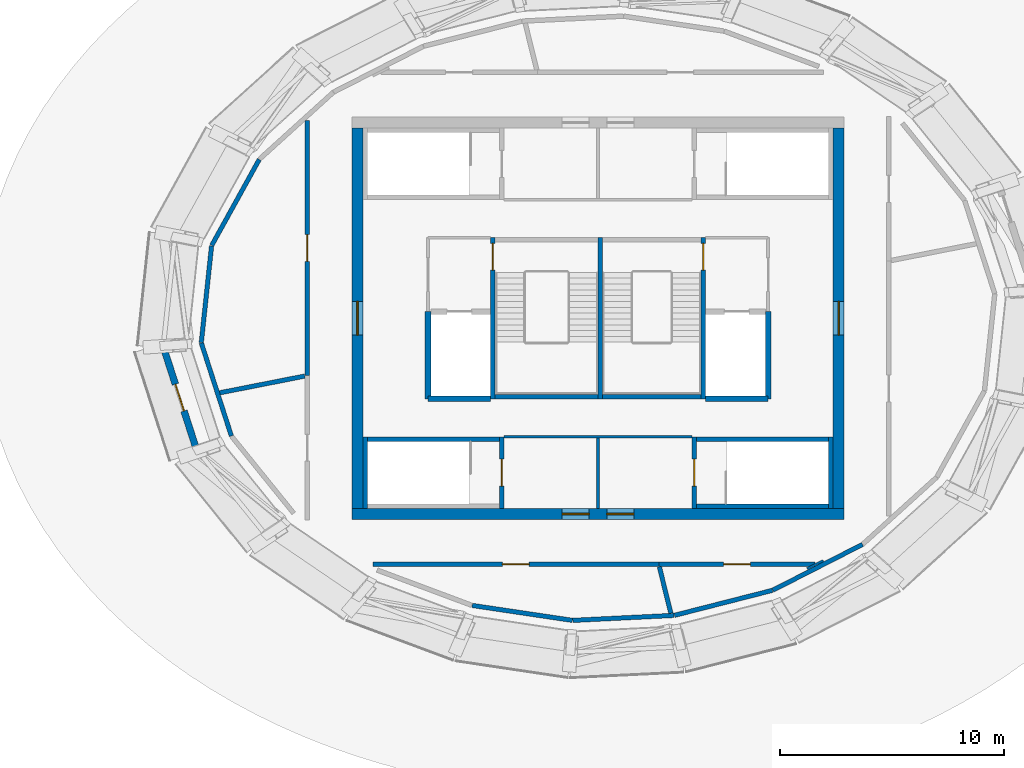
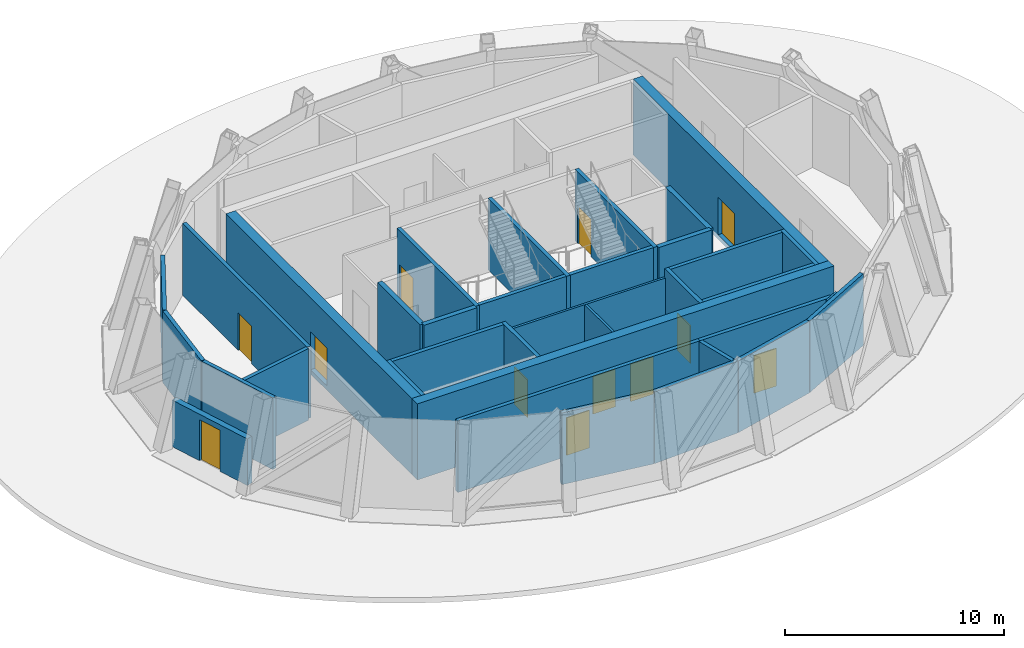
# One storey, part 5 of 9: 34 walls, 12 doors, 12 openings.
"""IFC4 building model written with IfcOpenShell, lengths in metres."""

import ifcopenshell
import ifcopenshell.guid

model = None  # the IFC model being written
_history = None  # IfcOwnerHistory: only IFC2X3 demands one
_inside = {}  # id of a spatial element -> (the spatial element, [elements in it])
_under = {}  # id of a project, library or spatial element -> (it, [spatial elements below it])
_declared = {}  # id of a project -> (the project, [libraries it declares])
_typed = {}  # id of a type object -> (the type object, [elements of that type])
_made_of = {}  # id of a material, layer set ... -> (it, [elements and type objects made of it])


def new_model(schema):
    """Start an empty IFC model of exactly this schema.

    Asked for "IFC4X3", IfcOpenShell would pick the latest addendum, in which some entities
    have other attributes; the version numbers below select the first issue.
    IFC2X3 requires an IfcOwnerHistory on every rooted entity: one is made here for all.
    """
    global model, _history
    if schema == "IFC4X3":
        model = ifcopenshell.file(schema_version=(4, 3, 0, 0))
    else:
        model = ifcopenshell.file(schema=schema)
    _inside.clear()
    _under.clear()
    _declared.clear()
    _typed.clear()
    _made_of.clear()
    _history = None
    if model.schema == "IFC2X3":
        org = make("IfcOrganization", Name="unknown")
        user = make(
            "IfcPersonAndOrganization",
            ThePerson=make("IfcPerson", FamilyName="unknown"),
            TheOrganization=org,
        )
        app = make(
            "IfcApplication",
            ApplicationDeveloper=org,
            Version="unknown",
            ApplicationFullName="unknown",
            ApplicationIdentifier="unknown",
        )
        _history = make(
            "IfcOwnerHistory",
            OwningUser=user,
            OwningApplication=app,
            ChangeAction="ADDED",
            CreationDate=0,
        )
    return model


def make(cls, **values):
    """One entity of the class cls with the attributes given. An attribute that is None is left unset."""
    return model.create_entity(
        cls, **{name: value for name, value in values.items() if value is not None}
    )


def rooted(cls, **values):
    """An entity with a GlobalId (a new one), such as an element, a storey or a relation."""
    return make(cls, GlobalId=ifcopenshell.guid.new(), OwnerHistory=_history, **values)


def si_unit(unit_type, name, prefix=None):
    """IfcSIUnit, for example si_unit("LENGTHUNIT", "METRE", prefix="MILLI")."""
    return make("IfcSIUnit", UnitType=unit_type, Prefix=prefix, Name=name)


def assignment(units):
    """IfcUnitAssignment: the units of a project."""
    return None if units is None else make("IfcUnitAssignment", Units=units)


def point(xyz):
    """IfcCartesianPoint."""
    return None if xyz is None else make("IfcCartesianPoint", Coordinates=xyz)


def direction(xyz):
    """IfcDirection."""
    return None if xyz is None else make("IfcDirection", DirectionRatios=xyz)


def frame(location, z_axis=None, x_axis=None):
    """IfcAxis2Placement3D, a coordinate frame: its origin and axes. An axis left out is left unset."""
    return make(
        "IfcAxis2Placement3D",
        Location=point(location),
        Axis=direction(z_axis),
        RefDirection=direction(x_axis),
    )


def frame_2d(location, x_axis=None):
    """IfcAxis2Placement2D, a coordinate frame in the plane: its origin and x axis."""
    return make(
        "IfcAxis2Placement2D", Location=point(location), RefDirection=direction(x_axis)
    )


def origin():
    """The frame at (0, 0, 0) with its axes left unset."""
    return frame((0.0, 0.0, 0.0))


def place(relative_to, where):
    """IfcLocalPlacement: puts the frame where relative to a parent placement (None: the world)."""
    return make(
        "IfcLocalPlacement", PlacementRelTo=relative_to, RelativePlacement=where
    )


def context(
    kind, dimensions, precision=None, world=None, true_north=None, identifier=None
):
    """IfcGeometricRepresentationContext, for example the 3D "Model" context."""
    return make(
        "IfcGeometricRepresentationContext",
        ContextIdentifier=identifier,
        ContextType=kind,
        CoordinateSpaceDimension=dimensions,
        Precision=precision,
        WorldCoordinateSystem=world,
        TrueNorth=true_north,
    )


def subcontext(parent, identifier, kind, view, scale=None):
    """IfcGeometricRepresentationSubContext, for example "Body" below "Model"."""
    return make(
        "IfcGeometricRepresentationSubContext",
        ContextIdentifier=identifier,
        ContextType=kind,
        ParentContext=parent,
        TargetScale=scale,
        TargetView=view,
    )


def project(units=None, contexts=None):
    """IfcProject with its units and contexts."""
    return rooted(
        "IfcProject",
        Name="project",
        RepresentationContexts=contexts,
        UnitsInContext=assignment(units),
    )


def spatial(cls, under=None, at=None, **own):
    """A site, building, storey or space (cls), placed at a placement, below another one or the project."""
    s = rooted(cls, ObjectPlacement=at, **own)
    if under is not None:
        _under.setdefault(under.id(), (under, []))[1].append(s)
    return s


def profile(cls, at=None, kind="AREA", **sizes):
    """A parametric profile (cls). Its sizes go by their IFC names, for example OverallWidth=200.0."""
    return make(cls, ProfileType=kind, Position=at, **sizes)


def rectangle(**sizes):
    """IfcRectangleProfileDef."""
    return profile("IfcRectangleProfileDef", **sizes)


def extrude(swept, where, along, depth):
    """IfcExtrudedAreaSolid: the profile swept, set in the frame where, extruded along a direction by depth."""
    return make(
        "IfcExtrudedAreaSolid",
        SweptArea=swept,
        Position=where,
        ExtrudedDirection=direction(along),
        Depth=depth,
    )


def shape(context_of_items, identifier, shape_type, items):
    """IfcShapeRepresentation: the items that make up one representation, for example the "Body"."""
    return make(
        "IfcShapeRepresentation",
        ContextOfItems=context_of_items,
        RepresentationIdentifier=identifier,
        RepresentationType=shape_type,
        Items=items,
    )


def source(mapping_origin, context_of_items, identifier, shape_type, items):
    """IfcRepresentationMap: a shape defined once, which mapped items show again and again."""
    return make(
        "IfcRepresentationMap",
        MappingOrigin=mapping_origin,
        MappedRepresentation=shape(context_of_items, identifier, shape_type, items),
    )


def transform(
    local_origin,
    x_axis=None,
    y_axis=None,
    z_axis=None,
    scale=None,
    scale2=None,
    scale3=None,
    uniform=True,
):
    """IfcCartesianTransformationOperator3D, or its non-uniform kind. x_axis, y_axis, z_axis: its Axis1, 2, 3."""
    if uniform:
        return make(
            "IfcCartesianTransformationOperator3D",
            Axis1=direction(x_axis),
            Axis2=direction(y_axis),
            LocalOrigin=point(local_origin),
            Scale=scale,
            Axis3=direction(z_axis),
        )
    return make(
        "IfcCartesianTransformationOperator3DnonUniform",
        Axis1=direction(x_axis),
        Axis2=direction(y_axis),
        LocalOrigin=point(local_origin),
        Scale=scale,
        Axis3=direction(z_axis),
        Scale2=scale2,
        Scale3=scale3,
    )


def mapped(mapping_source, mapping_target):
    """IfcMappedItem: shows the shape of a source again, moved by a transform."""
    return make(
        "IfcMappedItem", MappingSource=mapping_source, MappingTarget=mapping_target
    )


def material(Name=None, Category=None):
    """IfcMaterial."""
    return make("IfcMaterial", Name=Name, Category=Category)


def layer(
    of_material, thickness, ventilated=None, Name=None, Category=None, Priority=None
):
    """IfcMaterialLayer: one layer of a wall or slab, of a material (None: an air gap)."""
    return make(
        "IfcMaterialLayer",
        Material=of_material,
        LayerThickness=thickness,
        IsVentilated=ventilated,
        Name=Name,
        Category=Category,
        Priority=Priority,
    )


def layer_set(layers, Name=None):
    """IfcMaterialLayerSet."""
    return make("IfcMaterialLayerSet", MaterialLayers=layers, LayerSetName=Name)


def made_of(thing, what):
    """Note that an element or type object is made of a material, layer set ...; save() writes the relation."""
    if what is not None:
        _made_of.setdefault(what.id(), (what, []))[1].append(thing)
    return thing


def type_object(cls, material=None, **own):
    """A type object (cls), such as IfcWallType, which elements share."""
    return made_of(rooted(cls, **own), material)


def element(
    cls,
    number,
    at=None,
    inside=None,
    cuts=None,
    type_object=None,
    material=None,
    context=None,
    identifier="Body",
    shape_type=None,
    held_by="IfcProductDefinitionShape",
    body=None,
    shapes=None,
    **own,
):
    """One element of the class cls, such as IfcWall. Its Tag is "e" and its number.

    at: its placement. inside: the storey or other place that contains it. cuts: it is an
    opening in that element (IfcRelVoidsElement). A single representation is given by context,
    identifier, shape_type and body (its items); several are given by shapes. held_by: the class
    of the entity that holds the representations. save() writes the other relations.
    """
    e = rooted(cls, Tag="e%d" % number, ObjectPlacement=at, **own)
    if body is not None:
        shapes = [shape(context, identifier, shape_type, body)]
    if shapes is not None:
        e.Representation = make(held_by, Representations=shapes)
    if inside is not None:
        _inside.setdefault(inside.id(), (inside, []))[1].append(e)
    if cuts is not None:
        rooted(
            "IfcRelVoidsElement", RelatingBuildingElement=cuts, RelatedOpeningElement=e
        )
    if type_object is not None:
        _typed.setdefault(type_object.id(), (type_object, []))[1].append(e)
    return made_of(e, material)


def fill(opening, filler):
    """IfcRelFillsElement: the door or window that sits in an opening."""
    return rooted(
        "IfcRelFillsElement",
        RelatingOpeningElement=opening,
        RelatedBuildingElement=filler,
    )


def aggregate(whole, parts):
    """IfcRelAggregates: a whole, such as a stair, and the parts it consists of."""
    return rooted("IfcRelAggregates", RelatingObject=whole, RelatedObjects=parts)


def save(model, path):
    """Write the relations noted so far, then the file.

    IfcRelAggregates (storeys below a building ...), IfcRelContainedInSpatialStructure (elements
    in a storey), IfcRelDefinesByType, IfcRelAssociatesMaterial and IfcRelDeclares: one each for
    every whole, place, type object, material and project.
    """
    for whole, parts in _under.values():
        aggregate(whole, parts)
    for where, things in _inside.values():
        rooted(
            "IfcRelContainedInSpatialStructure",
            RelatedElements=things,
            RelatingStructure=where,
        )
    for kind, things in _typed.values():
        rooted("IfcRelDefinesByType", RelatedObjects=things, RelatingType=kind)
    for what, things in _made_of.values():
        rooted("IfcRelAssociatesMaterial", RelatedObjects=things, RelatingMaterial=what)
    for by, libraries in _declared.values():
        rooted("IfcRelDeclares", RelatingContext=by, RelatedDefinitions=libraries)
    model.write(path)


model = new_model("IFC4")

# Units and contexts
model_context = context("Model", 3, precision=1e-05, world=origin(), true_north=direction((0.0, 1.0)))
body_context = subcontext(model_context, "Body", "Model", "MODEL_VIEW")
ifc_project = project(units=[si_unit("LENGTHUNIT", "METRE"), si_unit("AREAUNIT", "SQUARE_METRE"), si_unit("VOLUMEUNIT", "CUBIC_METRE"), si_unit("PLANEANGLEUNIT", "RADIAN"), si_unit("MASSUNIT", "GRAM", prefix="KILO")], contexts=[model_context])

# Site, building, storey
site_placement = place(None, origin())
site = spatial("IfcSite", under=ifc_project, at=site_placement, CompositionType="ELEMENT")
building_placement = place(site_placement, origin())
building = spatial("IfcBuilding", under=site, at=building_placement, Name="Embergate Tower", CompositionType="ELEMENT")
storey_placement = place(building_placement, frame((0.0, 0.0, 352.0)))
storey = spatial("IfcBuildingStorey", under=building, at=storey_placement, Name="L80", CompositionType="ELEMENT", Elevation=352.0)

# Wall, openings, doors
ifc_material_1 = material(Name="Concrete C50", Category="concrete")
ifc_layer_1 = layer(ifc_material_1, 0.5)
ifc_layer_set_1 = layer_set([ifc_layer_1], Name="Concrete C50")
wall_type_1 = type_object("IfcWallType", Name="Core outer wall C50 500", PredefinedType="SHEAR", material=ifc_layer_set_1)
shared_shape_1 = source(origin(), body_context, "Body", "SweptSolid", [
    extrude(rectangle(XDim=22.0, YDim=0.5, at=frame_2d((11.0, 0.0))), origin(), (0.0, 0.0, 1.0), 4.25),
])
wall_1_placement = place(storey_placement, frame((-11.0, -8.75, -0.25), z_axis=(0.0, 0.0, 1.0), x_axis=(1.0, 0.0, 0.0)))
wall_1 = element("IfcWall", 1, at=wall_1_placement, inside=storey, type_object=wall_type_1, Name="CW-L80-S", PredefinedType="SHEAR", context=body_context, shape_type="MappedRepresentation", body=[
    mapped(shared_shape_1, transform((0.0, 0.0, 0.0))),
])
shared_shape_2 = source(origin(), body_context, "Body", "SweptSolid", [
    extrude(rectangle(XDim=1.199951171875, YDim=2.10009765625, at=frame_2d((0.60009765625, 1.050048828125))), frame((0.0, 0.260009765625, 0.0), z_axis=(0.0, -1.0, 0.0), x_axis=(1.0, 0.0, 0.0)), (0.0, 0.0, 1.0), 0.52001953125),
])
opening_1_placement = place(wall_1_placement, frame((9.39990234375, 0.0, 0.25)))
opening_1 = element("IfcOpeningElement", 2, at=opening_1_placement, cuts=wall_1, Name="Opening IF-1", PredefinedType="OPENING", context=body_context, shape_type="MappedRepresentation", body=[
    mapped(shared_shape_2, transform((0.0, 0.0, 0.0))),
])
opening_2_placement = place(wall_1_placement, frame((11.39990234375, 0.0, 0.25)))
opening_2 = element("IfcOpeningElement", 3, at=opening_2_placement, cuts=wall_1, Name="Opening IF-1", PredefinedType="OPENING", context=body_context, shape_type="MappedRepresentation", body=[
    mapped(shared_shape_2, transform((0.0, 0.0, 0.0))),
])
ifc_material_2 = material(Name="Escape fire door 1200")
door_type_1 = type_object("IfcDoorType", Name="Escape fire door 1200", OperationType="SINGLE_SWING_LEFT", PredefinedType="DOOR", material=ifc_material_2)
shared_shape_3 = source(origin(), body_context, "Body", "SweptSolid", [
    extrude(rectangle(XDim=1.199951171875, YDim=2.10009765625, at=frame_2d((0.60009765625, 1.050048828125))), frame((0.0, 0.02490234375, 0.0), z_axis=(0.0, -1.0, 0.0), x_axis=(1.0, 0.0, 0.0)), (0.0, 0.0, 1.0), 0.050048828125),
])
door_1_placement = place(opening_1_placement, origin())
door_1 = element("IfcDoor", 4, at=door_1_placement, inside=storey, type_object=door_type_1, Name="IF-1 door", OperationType="SINGLE_SWING_RIGHT", OverallHeight=2.10009765625, OverallWidth=1.199951171875, PredefinedType="DOOR", context=body_context, shape_type="MappedRepresentation", body=[
    mapped(shared_shape_3, transform((0.0, 0.0, 0.0))),
])
fill(opening_1, door_1)
door_2_placement = place(opening_2_placement, origin())
door_2 = element("IfcDoor", 5, at=door_2_placement, inside=storey, type_object=door_type_1, Name="IF-1 door", OperationType="SINGLE_SWING_LEFT", OverallHeight=2.10009765625, OverallWidth=1.199951171875, PredefinedType="DOOR", context=body_context, shape_type="MappedRepresentation", body=[
    mapped(shared_shape_3, transform((0.0, 0.0, 0.0))),
])
fill(opening_2, door_2)

# Wall, opening, door
shared_shape_4 = source(origin(), body_context, "Body", "SweptSolid", [
    extrude(rectangle(XDim=17.0, YDim=0.5, at=frame_2d((8.5, 0.0))), origin(), (0.0, 0.0, 1.0), 4.25),
])
wall_2_placement = place(storey_placement, frame((10.75, -8.5, -0.25), z_axis=(0.0, 0.0, 1.0), x_axis=(0.0, 1.0, 0.0)))
wall_2 = element("IfcWall", 6, at=wall_2_placement, inside=storey, type_object=wall_type_1, Name="CW-L80-E", PredefinedType="SHEAR", context=body_context, shape_type="MappedRepresentation", body=[
    mapped(shared_shape_4, transform((0.0, 0.0, 0.0))),
])
shared_shape_5 = source(origin(), body_context, "Body", "SweptSolid", [
    extrude(rectangle(XDim=1.5, YDim=2.10009765625, at=frame_2d((0.75, 1.050048828125))), frame((0.0, 0.260009765625, 0.0), z_axis=(0.0, -1.0, 0.0), x_axis=(1.0, 0.0, 0.0)), (0.0, 0.0, 1.0), 0.52001953125),
])
opening_3_placement = place(wall_2_placement, frame((7.75, 0.0, 0.25)))
opening_3 = element("IfcOpeningElement", 7, at=opening_3_placement, cuts=wall_2, Name="Opening IF-3", PredefinedType="OPENING", context=body_context, shape_type="MappedRepresentation", body=[
    mapped(shared_shape_5, transform((0.0, 0.0, 0.0))),
])
ifc_material_3 = material(Name="Lobby fire door pair 1500")
door_type_2 = type_object("IfcDoorType", Name="Lobby fire door pair 1500", OperationType="DOUBLE_DOOR_SINGLE_SWING", PredefinedType="DOOR", material=ifc_material_3)
shared_shape_6 = source(origin(), body_context, "Body", "SweptSolid", [
    extrude(rectangle(XDim=1.5, YDim=2.10009765625, at=frame_2d((0.75, 1.050048828125))), frame((0.0, 0.02490234375, 0.0), z_axis=(0.0, -1.0, 0.0), x_axis=(1.0, 0.0, 0.0)), (0.0, 0.0, 1.0), 0.050048828125),
])
door_3_placement = place(opening_3_placement, origin())
door_3 = element("IfcDoor", 8, at=door_3_placement, inside=storey, type_object=door_type_2, Name="IF-3 door", OperationType="DOUBLE_DOOR_SINGLE_SWING", OverallHeight=2.10009765625, OverallWidth=1.5, PredefinedType="DOOR", context=body_context, shape_type="MappedRepresentation", body=[
    mapped(shared_shape_6, transform((0.0, 0.0, 0.0))),
])
fill(opening_3, door_3)

wall_3_placement = place(storey_placement, frame((-10.75, -8.5, -0.25), z_axis=(0.0, 0.0, 1.0), x_axis=(0.0, 1.0, 0.0)))
wall_3 = element("IfcWall", 9, at=wall_3_placement, inside=storey, type_object=wall_type_1, Name="CW-L80-W", PredefinedType="SHEAR", context=body_context, shape_type="MappedRepresentation", body=[
    mapped(shared_shape_4, transform((0.0, 0.0, 0.0))),
])
opening_4_placement = place(wall_3_placement, frame((7.75, 0.0, 0.25)))
opening_4 = element("IfcOpeningElement", 10, at=opening_4_placement, cuts=wall_3, Name="Opening IF-3", PredefinedType="OPENING", context=body_context, shape_type="MappedRepresentation", body=[
    mapped(shared_shape_5, transform((0.0, 0.0, 0.0))),
])
door_4_placement = place(opening_4_placement, origin())
door_4 = element("IfcDoor", 11, at=door_4_placement, inside=storey, type_object=door_type_2, Name="IF-3 door", OperationType="DOUBLE_DOOR_SINGLE_SWING", OverallHeight=2.10009765625, OverallWidth=1.5, PredefinedType="DOOR", context=body_context, shape_type="MappedRepresentation", body=[
    mapped(shared_shape_6, transform((0.0, 0.0, 0.0))),
])
fill(opening_4, door_4)

# Walls
ifc_material_4 = material(Name="Terracotta louvre cladding on insulated backing", Category="masonry")
ifc_layer_2 = layer(ifc_material_4, 0.199951171875)
ifc_layer_set_2 = layer_set([ifc_layer_2], Name="Terracotta louvre cladding on insulated backing")
wall_type_2 = type_object("IfcWallType", Name="Terracotta louvre wall", PredefinedType="SOLIDWALL", material=ifc_layer_set_2)
shared_shape_7 = source(origin(), body_context, "Body", "SweptSolid", [
    extrude(rectangle(XDim=4.526611328125, YDim=0.199951171875, at=frame_2d((2.26318359375, 0.0))), origin(), (0.0, 0.0, 1.0), 4.0),
])
wall_4_placement = place(storey_placement, frame((-1.1494140625, -13.501953125, 0.0), z_axis=(0.0, 0.0, 1.0), x_axis=(-0.98908499412, 0.147346104146, 0.0)))
element("IfcWall", 12, at=wall_4_placement, inside=storey, type_object=wall_type_2, Name="Crown louvre wall 15", PredefinedType="SOLIDWALL", context=body_context, shape_type="MappedRepresentation", body=[
    mapped(shared_shape_7, transform((0.0, 0.0, 0.0))),
])
shared_shape_8 = source(origin(), body_context, "Body", "SweptSolid", [
    extrude(rectangle(XDim=4.5302734375, YDim=0.199951171875, at=frame_2d((2.26513671875, 0.0))), origin(), (0.0, 0.0, 1.0), 4.0),
])
wall_5_placement = place(storey_placement, frame((3.3955078125, -13.280517578125, 0.0), z_axis=(0.0, 0.0, 1.0), x_axis=(-0.998794180323, -0.049093638625, 0.0)))
element("IfcWall", 13, at=wall_5_placement, inside=storey, type_object=wall_type_2, Name="Crown louvre wall 16", PredefinedType="SOLIDWALL", context=body_context, shape_type="MappedRepresentation", body=[
    mapped(shared_shape_8, transform((0.0, 0.0, 0.0))),
])
shared_shape_9 = source(origin(), body_context, "Body", "SweptSolid", [
    extrude(rectangle(XDim=4.520263671875, YDim=0.199951171875, at=frame_2d((2.26025390625, 0.0))), origin(), (0.0, 0.0, 1.0), 4.0),
])
wall_6_placement = place(storey_placement, frame((7.794921875, -12.16015625, 0.0), z_axis=(0.0, 0.0, 1.0), x_axis=(-0.968962042594, -0.247209546764, 0.0)))
element("IfcWall", 14, at=wall_6_placement, inside=storey, type_object=wall_type_2, Name="Crown louvre wall 17", PredefinedType="SOLIDWALL", context=body_context, shape_type="MappedRepresentation", body=[
    mapped(shared_shape_9, transform((0.0, 0.0, 0.0))),
])
shared_shape_10 = source(origin(), body_context, "Body", "SweptSolid", [
    extrude(rectangle(XDim=4.49365234375, YDim=0.199951171875, at=frame_2d((2.246826171875, 0.0))), origin(), (0.0, 0.0, 1.0), 4.0),
])
wall_7_placement = place(storey_placement, frame((11.816162109375, -10.110107421875, 0.0), z_axis=(0.0, 0.0, 1.0), x_axis=(-0.890680163356, -0.45463045059, 0.0)))
element("IfcWall", 15, at=wall_7_placement, inside=storey, type_object=wall_type_2, Name="Crown louvre wall 18", PredefinedType="SOLIDWALL", context=body_context, shape_type="MappedRepresentation", body=[
    mapped(shared_shape_10, transform((0.0, 0.0, 0.0))),
])
shared_shape_11 = source(origin(), body_context, "Body", "SweptSolid", [
    extrude(rectangle(XDim=4.388916015625, YDim=0.199951171875, at=frame_2d((2.1943359375, 0.0))), origin(), (0.0, 0.0, 1.0), 4.0),
])
wall_8_placement = place(storey_placement, frame((-17.26611328125, 3.255859375, 0.0), z_axis=(0.0, 0.0, 1.0), x_axis=(0.48394176174, 0.875100206402, 0.0)))
element("IfcWall", 16, at=wall_8_placement, inside=storey, type_object=wall_type_2, Name="Crown louvre wall 9", PredefinedType="SOLIDWALL", context=body_context, shape_type="MappedRepresentation", body=[
    mapped(shared_shape_11, transform((0.0, 0.0, 0.0))),
])
shared_shape_12 = source(origin(), body_context, "Body", "SweptSolid", [
    extrude(rectangle(XDim=4.34912109375, YDim=0.199951171875, at=frame_2d((2.174560546875, 0.0))), origin(), (0.0, 0.0, 1.0), 4.0),
])
wall_9_placement = place(storey_placement, frame((-17.732177734375, -1.087646484375, 0.0), z_axis=(0.0, 0.0, 1.0), x_axis=(0.10576007222, 0.994391676918, 0.0)))
element("IfcWall", 17, at=wall_9_placement, inside=storey, type_object=wall_type_2, Name="Crown louvre wall 10", PredefinedType="SOLIDWALL", context=body_context, shape_type="MappedRepresentation", body=[
    mapped(shared_shape_12, transform((0.0, 0.0, 0.0))),
])
shared_shape_13 = source(origin(), body_context, "Body", "SweptSolid", [
    extrude(rectangle(XDim=4.3642578125, YDim=0.199951171875, at=frame_2d((2.18212890625, 0.0))), origin(), (0.0, 0.0, 1.0), 4.0),
])
wall_10_placement = place(storey_placement, frame((-16.3876953125, -5.259521484375, 0.0), z_axis=(0.0, 0.0, 1.0), x_axis=(-0.307571534743, 0.951524960795, 0.0)))
element("IfcWall", 18, at=wall_10_placement, inside=storey, type_object=wall_type_2, Name="Crown louvre wall 11", PredefinedType="SOLIDWALL", context=body_context, shape_type="MappedRepresentation", body=[
    mapped(shared_shape_13, transform((0.0, 0.0, 0.0))),
])

# Wall, opening, door
ifc_material_5 = material(Name="Brick masonry with ceramic skin", Category="masonry")
ifc_layer_3 = layer(ifc_material_5, 0.300048828125)
ifc_layer_set_3 = layer_set([ifc_layer_3], Name="Brick masonry with ceramic skin")
wall_type_3 = type_object("IfcWallType", Name="Crown base wall", PredefinedType="SOLIDWALL", material=ifc_layer_set_3)
shared_shape_14 = source(origin(), body_context, "Body", "SweptSolid", [
    extrude(rectangle(XDim=4.644775390625, YDim=0.300048828125, at=frame_2d((2.322265625, 0.0))), origin(), (0.0, 0.0, 1.0), 2.60009765625),
])
wall_11_placement = place(storey_placement, frame((-19.40966796875, -1.340576171875, 0.0), z_axis=(0.0, 0.0, 1.0), x_axis=(0.307431215292, -0.951570306317, 0.0)))
wall_11 = element("IfcWall", 19, at=wall_11_placement, inside=storey, type_object=wall_type_3, Name="Crown base wall W", PredefinedType="SOLIDWALL", context=body_context, shape_type="MappedRepresentation", body=[
    mapped(shared_shape_14, transform((0.0, 0.0, 0.0))),
])
shared_shape_15 = source(origin(), body_context, "Body", "SweptSolid", [
    extrude(rectangle(XDim=1.25, YDim=2.300048828125, at=frame_2d((0.625, 1.14990234375))), frame((0.0, 0.159912109375, 0.0), z_axis=(0.0, -1.0, 0.0), x_axis=(1.0, 0.0, 0.0)), (0.0, 0.0, 1.0), 0.320068359375),
])
opening_5_placement = place(wall_11_placement, frame((1.69287109375, 0.0, 0.0)))
opening_5 = element("IfcOpeningElement", 20, at=opening_5_placement, cuts=wall_11, Name="Opening XD", PredefinedType="OPENING", context=body_context, shape_type="MappedRepresentation", body=[
    mapped(shared_shape_15, transform((0.0, 0.0, 0.0))),
])
ifc_material_6 = material(Name="Aluminium and toughened glass", Category="aluminium")
door_type_3 = type_object("IfcDoorType", Name="Exit door leaf", OperationType="SINGLE_SWING_LEFT", PredefinedType="DOOR", material=ifc_material_6)
shared_shape_16 = source(origin(), body_context, "Body", "SweptSolid", [
    extrude(rectangle(XDim=1.25, YDim=2.300048828125, at=frame_2d((0.625, 1.14990234375))), frame((0.0, 0.02490234375, 0.0), z_axis=(0.0, -1.0, 0.0), x_axis=(1.0, 0.0, 0.0)), (0.0, 0.0, 1.0), 0.050048828125),
])
door_5_placement = place(opening_5_placement, origin())
door_5 = element("IfcDoor", 21, at=door_5_placement, inside=storey, type_object=door_type_3, Name="Roof access door W", OperationType="SINGLE_SWING_LEFT", OverallHeight=2.300048828125, OverallWidth=1.25, PredefinedType="DOOR", context=body_context, shape_type="MappedRepresentation", body=[
    mapped(shared_shape_16, transform((0.0, 0.0, 0.0))),
])
fill(opening_5, door_5)

# Walls
ifc_material_7 = material(Name="Core partition blockwork 120")
ifc_layer_4 = layer(ifc_material_7, 0.1201171875)
ifc_layer_set_4 = layer_set([ifc_layer_4], Name="Core partition blockwork 120")
wall_type_4 = type_object("IfcWallType", Name="Core partition blockwork 120", PredefinedType="PARTITIONING", material=ifc_layer_set_4)
shared_shape_17 = source(origin(), body_context, "Body", "SweptSolid", [
    extrude(rectangle(XDim=8.39990234375, YDim=0.1201171875, at=frame_2d((4.199951171875, 0.0))), origin(), (0.0, 0.0, 1.0), 3.5),
])
wall_12_placement = place(storey_placement, frame((4.199951171875, -5.300048828125, 0.0), z_axis=(0.0, 0.0, 1.0), x_axis=(-1.0, 0.0, 0.0)))
element("IfcWall", 22, at=wall_12_placement, inside=storey, type_object=wall_type_4, Name="IP-3 wall", PredefinedType="PARTITIONING", context=body_context, shape_type="MappedRepresentation", body=[
    mapped(shared_shape_17, transform((0.0, 0.0, 0.0))),
])
ifc_layer_5 = layer(ifc_material_1, 0.199951171875)
ifc_layer_set_5 = layer_set([ifc_layer_5], Name="Concrete C50")
wall_type_5 = type_object("IfcWallType", Name="Stair enclosure wall reinforced concrete 250", PredefinedType="SHEAR", material=ifc_layer_set_5)
shared_shape_18 = source(origin(), body_context, "Body", "SweptSolid", [
    extrude(rectangle(XDim=7.2001953125, YDim=0.199951171875, at=frame_2d((3.60009765625, 0.0))), origin(), (0.0, 0.0, 1.0), 4.0),
])
wall_13_placement = place(storey_placement, frame((0.10009765625, 3.60009765625, 0.0), z_axis=(0.0, 0.0, 1.0), x_axis=(0.0, -1.0, 0.0)))
element("IfcWall", 23, at=wall_13_placement, inside=storey, type_object=wall_type_5, Name="SE-1 wall", PredefinedType="SHEAR", context=body_context, shape_type="MappedRepresentation", body=[
    mapped(shared_shape_18, transform((0.0, 0.0, 0.0))),
])

# Wall, opening, door
wall_14_placement = place(storey_placement, frame((4.699951171875, -3.60009765625, 0.0), z_axis=(0.0, 0.0, 1.0), x_axis=(0.0, 1.0, 0.0)))
wall_14 = element("IfcWall", 24, at=wall_14_placement, inside=storey, type_object=wall_type_5, Name="SE-1 wall", PredefinedType="SHEAR", context=body_context, shape_type="MappedRepresentation", body=[
    mapped(shared_shape_18, transform((0.0, 0.0, 0.0))),
])
shared_shape_19 = source(origin(), body_context, "Body", "SweptSolid", [
    extrude(rectangle(XDim=1.199951171875, YDim=2.10009765625, at=frame_2d((0.60009765625, 1.050048828125))), frame((0.0, 0.10986328125, 0.0), z_axis=(0.0, -1.0, 0.0), x_axis=(1.0, 0.0, 0.0)), (0.0, 0.0, 1.0), 0.219970703125),
])
opening_6_placement = place(wall_14_placement, frame((5.75, 0.0, 0.0)))
opening_6 = element("IfcOpeningElement", 25, at=opening_6_placement, cuts=wall_14, Name="Opening IF-2", PredefinedType="OPENING", context=body_context, shape_type="MappedRepresentation", body=[
    mapped(shared_shape_19, transform((0.0, 0.0, 0.0))),
])
ifc_material_8 = material(Name="Stair enclosure door 1200")
door_type_4 = type_object("IfcDoorType", Name="Stair enclosure door 1200", OperationType="SINGLE_SWING_LEFT", PredefinedType="DOOR", material=ifc_material_8)
door_6_placement = place(opening_6_placement, origin())
door_6 = element("IfcDoor", 26, at=door_6_placement, inside=storey, type_object=door_type_4, Name="IF-2 door", OperationType="SINGLE_SWING_RIGHT", OverallHeight=2.10009765625, OverallWidth=1.199951171875, PredefinedType="DOOR", context=body_context, shape_type="MappedRepresentation", body=[
    mapped(shared_shape_3, transform((0.0, 0.0, 0.0))),
])
fill(opening_6, door_6)

wall_15_placement = place(storey_placement, frame((-4.699951171875, 3.60009765625, 0.0), z_axis=(0.0, 0.0, 1.0), x_axis=(0.0, -1.0, 0.0)))
wall_15 = element("IfcWall", 27, at=wall_15_placement, inside=storey, type_object=wall_type_5, Name="SE-1 wall", PredefinedType="SHEAR", context=body_context, shape_type="MappedRepresentation", body=[
    mapped(shared_shape_18, transform((0.0, 0.0, 0.0))),
])
opening_7_placement = place(wall_15_placement, frame((0.25, 0.0, 0.0)))
opening_7 = element("IfcOpeningElement", 28, at=opening_7_placement, cuts=wall_15, Name="Opening IF-2", PredefinedType="OPENING", context=body_context, shape_type="MappedRepresentation", body=[
    mapped(shared_shape_19, transform((0.0, 0.0, 0.0))),
])
door_7_placement = place(opening_7_placement, origin())
door_7 = element("IfcDoor", 29, at=door_7_placement, inside=storey, type_object=door_type_4, Name="IF-2 door", OperationType="SINGLE_SWING_RIGHT", OverallHeight=2.10009765625, OverallWidth=1.199951171875, PredefinedType="DOOR", context=body_context, shape_type="MappedRepresentation", body=[
    mapped(shared_shape_3, transform((0.0, 0.0, 0.0))),
])
fill(opening_7, door_7)

# Walls
shared_shape_20 = source(origin(), body_context, "Body", "SweptSolid", [
    extrude(rectangle(XDim=9.60009765625, YDim=0.199951171875, at=frame_2d((4.800048828125, 0.0))), origin(), (0.0, 0.0, 1.0), 4.0),
])
wall_16_placement = place(storey_placement, frame((-4.800048828125, -3.5, 0.0), z_axis=(0.0, 0.0, 1.0), x_axis=(1.0, 0.0, 0.0)))
element("IfcWall", 30, at=wall_16_placement, inside=storey, type_object=wall_type_5, Name="SE-1 wall", PredefinedType="SHEAR", context=body_context, shape_type="MappedRepresentation", body=[
    mapped(shared_shape_20, transform((0.0, 0.0, 0.0))),
])
ifc_layer_6 = layer(ifc_material_1, 0.25)
ifc_layer_set_6 = layer_set([ifc_layer_6], Name="Concrete C50")
wall_type_6 = type_object("IfcWallType", Name="Hoistway wall reinforced concrete 250", PredefinedType="SHEAR", material=ifc_layer_set_6)
shared_shape_21 = source(origin(), body_context, "Body", "SweptSolid", [
    extrude(rectangle(XDim=2.800048828125, YDim=0.25, at=frame_2d((1.39990234375, 0.0))), origin(), (0.0, 0.0, 1.0), 4.0),
])
for number, where, z_axis, x_axis, name in (
    (31, (4.800048828125, -3.60009765625, 0.0), (0.0, 0.0, 1.0), (1.0, 0.0, 0.0), "HW-1 wall"),
    (32, (-7.60009765625, -3.60009765625, 0.0), (0.0, 0.0, 1.0), (1.0, 0.0, 0.0), "HW-1 wall"),
):
    element("IfcWall", number, at=place(storey_placement, frame(where, z_axis=z_axis, x_axis=x_axis)), inside=storey, type_object=wall_type_6, Name=name, PredefinedType="SHEAR", context=body_context, shape_type="MappedRepresentation", body=[
        mapped(shared_shape_21, transform((0.0, 0.0, 0.0))),
    ])
shared_shape_22 = source(origin(), body_context, "Body", "SweptSolid", [
    extrude(rectangle(XDim=3.900146484375, YDim=0.25, at=frame_2d((1.9501953125, 0.0))), origin(), (0.0, 0.0, 1.0), 4.0),
])
for number, where, z_axis, x_axis, name in (
    (33, (7.60009765625, -3.60009765625, 0.0), (0.0, 0.0, 1.0), (0.0, 1.0, 0.0), "HW-1 wall"),
    (34, (-7.60009765625, 0.300048828125, 0.0), (0.0, 0.0, 1.0), (0.0, -1.0, 0.0), "HW-1 wall"),
):
    element("IfcWall", number, at=place(storey_placement, frame(where, z_axis=z_axis, x_axis=x_axis)), inside=storey, type_object=wall_type_6, Name=name, PredefinedType="SHEAR", context=body_context, shape_type="MappedRepresentation", body=[
        mapped(shared_shape_22, transform((0.0, 0.0, 0.0))),
    ])

# Wall, opening, door
shared_shape_23 = source(origin(), body_context, "Body", "SweptSolid", [
    extrude(rectangle(XDim=3.199951171875, YDim=0.199951171875, at=frame_2d((1.60009765625, 0.0))), origin(), (0.0, 0.0, 1.0), 4.0),
])
wall_17_placement = place(storey_placement, frame((-4.300048828125, -8.5, 0.0), z_axis=(0.0, 0.0, 1.0), x_axis=(0.0, 1.0, 0.0)))
wall_17 = element("IfcWall", 35, at=wall_17_placement, inside=storey, type_object=wall_type_5, Name="SE-1 wall", PredefinedType="SHEAR", context=body_context, shape_type="MappedRepresentation", body=[
    mapped(shared_shape_23, transform((0.0, 0.0, 0.0))),
])
opening_8_placement = place(wall_17_placement, frame((1.0, 0.0, 0.0)))
opening_8 = element("IfcOpeningElement", 36, at=opening_8_placement, cuts=wall_17, Name="Opening IF-2", PredefinedType="OPENING", context=body_context, shape_type="MappedRepresentation", body=[
    mapped(shared_shape_19, transform((0.0, 0.0, 0.0))),
])
door_8_placement = place(opening_8_placement, origin())
door_8 = element("IfcDoor", 37, at=door_8_placement, inside=storey, type_object=door_type_4, Name="IF-2 door", OperationType="SINGLE_SWING_RIGHT", OverallHeight=2.10009765625, OverallWidth=1.199951171875, PredefinedType="DOOR", context=body_context, shape_type="MappedRepresentation", body=[
    mapped(shared_shape_3, transform((0.0, 0.0, 0.0))),
])
fill(opening_8, door_8)

wall_18_placement = place(storey_placement, frame((4.300048828125, -5.300048828125, 0.0), z_axis=(0.0, 0.0, 1.0), x_axis=(0.0, -1.0, 0.0)))
wall_18 = element("IfcWall", 38, at=wall_18_placement, inside=storey, type_object=wall_type_5, Name="SE-1 wall", PredefinedType="SHEAR", context=body_context, shape_type="MappedRepresentation", body=[
    mapped(shared_shape_23, transform((0.0, 0.0, 0.0))),
])
opening_9_placement = place(wall_18_placement, frame((1.0, 0.0, 0.0)))
opening_9 = element("IfcOpeningElement", 39, at=opening_9_placement, cuts=wall_18, Name="Opening IF-2", PredefinedType="OPENING", context=body_context, shape_type="MappedRepresentation", body=[
    mapped(shared_shape_19, transform((0.0, 0.0, 0.0))),
])
door_9_placement = place(opening_9_placement, origin())
door_9 = element("IfcDoor", 40, at=door_9_placement, inside=storey, type_object=door_type_4, Name="IF-2 door", OperationType="SINGLE_SWING_RIGHT", OverallHeight=2.10009765625, OverallWidth=1.199951171875, PredefinedType="DOOR", context=body_context, shape_type="MappedRepresentation", body=[
    mapped(shared_shape_3, transform((0.0, 0.0, 0.0))),
])
fill(opening_9, door_9)

# Walls
shared_shape_24 = source(origin(), body_context, "Body", "SweptSolid", [
    extrude(rectangle(XDim=6.300048828125, YDim=0.199951171875, at=frame_2d((3.14990234375, 0.0))), origin(), (0.0, 0.0, 1.0), 4.0),
])
for number, where, z_axis, x_axis, name in (
    (41, (-4.199951171875, -5.39990234375, 0.0), (0.0, 0.0, 1.0), (-1.0, 0.0, 0.0), "SE-1 wall"),
    (42, (10.5, -5.39990234375, 0.0), (0.0, 0.0, 1.0), (-1.0, 0.0, 0.0), "SE-1 wall"),
):
    element("IfcWall", number, at=place(storey_placement, frame(where, z_axis=z_axis, x_axis=x_axis)), inside=storey, type_object=wall_type_5, Name=name, PredefinedType="SHEAR", context=body_context, shape_type="MappedRepresentation", body=[
        mapped(shared_shape_24, transform((0.0, 0.0, 0.0))),
    ])
shared_shape_25 = source(origin(), body_context, "Body", "SweptSolid", [
    extrude(rectangle(XDim=3.139892578125, YDim=0.1201171875, at=frame_2d((1.56982421875, 0.0))), origin(), (0.0, 0.0, 1.0), 3.5),
])
wall_19_placement = place(storey_placement, frame((0.0, -8.5, 0.0), z_axis=(0.0, 0.0, 1.0), x_axis=(0.0, 1.0, 0.0)))
element("IfcWall", 43, at=wall_19_placement, inside=storey, type_object=wall_type_4, Name="IP-3 wall", PredefinedType="PARTITIONING", context=body_context, shape_type="MappedRepresentation", body=[
    mapped(shared_shape_25, transform((0.0, 0.0, 0.0))),
])
shared_shape_26 = source(origin(), body_context, "Body", "SweptSolid", [
    extrude(rectangle(XDim=6.298095703125, YDim=0.199951171875, at=frame_2d((3.14892578125, 0.0))), origin(), (0.0, 0.0, 1.0), 4.0),
])
wall_20_placement = place(storey_placement, frame((4.201904296875, -8.39990234375, 0.0), z_axis=(0.0, 0.0, 1.0), x_axis=(1.0, 0.0, 0.0)))
element("IfcWall", 44, at=wall_20_placement, inside=storey, type_object=wall_type_5, Name="SE-1 wall", PredefinedType="SHEAR", context=body_context, shape_type="MappedRepresentation", body=[
    mapped(shared_shape_26, transform((0.0, 0.0, 0.0))),
])
shared_shape_27 = source(origin(), body_context, "Body", "SweptSolid", [
    extrude(rectangle(XDim=3.197998046875, YDim=0.199951171875, at=frame_2d((1.59912109375, 0.0))), origin(), (0.0, 0.0, 1.0), 4.0),
])
for number, where, z_axis, x_axis, name in (
    (45, (-10.39990234375, -5.302001953125, 0.0), (0.0, 0.0, 1.0), (0.0, -1.0, 0.0), "SE-1 wall"),
    (46, (10.39990234375, -8.5, 0.0), (0.0, 0.0, 1.0), (0.0, 1.0, 0.0), "SE-1 wall"),
):
    element("IfcWall", number, at=place(storey_placement, frame(where, z_axis=z_axis, x_axis=x_axis)), inside=storey, type_object=wall_type_5, Name=name, PredefinedType="SHEAR", context=body_context, shape_type="MappedRepresentation", body=[
        mapped(shared_shape_27, transform((0.0, 0.0, 0.0))),
    ])
ifc_material_9 = material(Name="Blockwork, plastered", Category="masonry")
ifc_layer_7 = layer(ifc_material_9, 0.199951171875)
ifc_layer_set_7 = layer_set([ifc_layer_7], Name="Blockwork, plastered")
wall_type_7 = type_object("IfcWallType", Name="Fire partition wall 200 block", PredefinedType="PARTITIONING", material=ifc_layer_set_7)
shared_shape_28 = source(origin(), body_context, "Body", "SweptSolid", [
    extrude(rectangle(XDim=3.87109375, YDim=0.199951171875, at=frame_2d((1.935546875, 0.0))), origin(), (0.0, 0.0, 1.0), 4.0),
])
wall_21_placement = place(storey_placement, frame((-13.10791015625, -2.5830078125, 0.0), z_axis=(0.0, 0.0, 1.0), x_axis=(-0.981151353157, -0.193240839884, 0.0)))
element("IfcWall", 47, at=wall_21_placement, inside=storey, type_object=wall_type_7, Name="Partition 002", PredefinedType="PARTITIONING", context=body_context, shape_type="MappedRepresentation", body=[
    mapped(shared_shape_28, transform((0.0, 0.0, 0.0))),
])

# Wall, opening, door
shared_shape_29 = source(origin(), body_context, "Body", "SweptSolid", [
    extrude(rectangle(XDim=11.404052734375, YDim=0.199951171875, at=frame_2d((5.7021484375, 0.0))), origin(), (0.0, 0.0, 1.0), 4.0),
])
wall_22_placement = place(storey_placement, frame((-13.0, -2.56201171875, 0.0), z_axis=(0.0, 0.0, 1.0), x_axis=(0.0, 1.0, 0.0)))
wall_22 = element("IfcWall", 48, at=wall_22_placement, inside=storey, type_object=wall_type_7, Name="Partition 003", PredefinedType="PARTITIONING", context=body_context, shape_type="MappedRepresentation", body=[
    mapped(shared_shape_29, transform((0.0, 0.0, 0.0))),
])
opening_10_placement = place(wall_22_placement, frame((5.10205078125, 0.0, 0.0)))
opening_10 = element("IfcOpeningElement", 49, at=opening_10_placement, cuts=wall_22, Name="Opening DS-276", PredefinedType="OPENING", context=body_context, shape_type="MappedRepresentation", body=[
    mapped(shared_shape_19, transform((0.0, 0.0, 0.0))),
])
ifc_material_10 = material(Name="Timber door leaf, steel frame", Category="steel")
door_type_5 = type_object("IfcDoorType", Name="Plant door 1200x2100", OperationType="SINGLE_SWING_LEFT", PredefinedType="DOOR", material=ifc_material_10)
shared_shape_30 = source(origin(), body_context, "Body", "SweptSolid", [
    extrude(rectangle(XDim=1.199951171875, YDim=2.10009765625, at=frame_2d((0.60009765625, 1.050048828125))), frame((0.0, 0.02490234375, 0.0), z_axis=(0.0, -1.0, 0.0), x_axis=(1.0, 0.0, 0.0)), (0.0, 0.0, 1.0), 0.050048828125),
])
door_10_placement = place(opening_10_placement, origin())
door_10 = element("IfcDoor", 50, at=door_10_placement, inside=storey, type_object=door_type_5, Name="Door to Crown air handling plant room", OperationType="SINGLE_SWING_LEFT", OverallHeight=2.10009765625, OverallWidth=1.199951171875, PredefinedType="DOOR", context=body_context, shape_type="MappedRepresentation", body=[
    mapped(shared_shape_30, transform((0.0, 0.0, 0.0))),
])
fill(opening_10, door_10)

shared_shape_31 = source(origin(), body_context, "Body", "SweptSolid", [
    extrude(rectangle(XDim=6.98486328125, YDim=0.199951171875, at=frame_2d((3.492431640625, 0.0))), origin(), (0.0, 0.0, 1.0), 4.0),
])
wall_23_placement = place(storey_placement, frame((9.699951171875, -11.0, 0.0), z_axis=(0.0, 0.0, 1.0), x_axis=(-1.0, 0.0, 0.0)))
wall_23 = element("IfcWall", 51, at=wall_23_placement, inside=storey, type_object=wall_type_7, Name="Partition 009", PredefinedType="PARTITIONING", context=body_context, shape_type="MappedRepresentation", body=[
    mapped(shared_shape_31, transform((0.0, 0.0, 0.0))),
])
opening_11_placement = place(wall_23_placement, frame((2.89208984375, 0.0, 0.0)))
opening_11 = element("IfcOpeningElement", 52, at=opening_11_placement, cuts=wall_23, Name="Opening DS-279", PredefinedType="OPENING", context=body_context, shape_type="MappedRepresentation", body=[
    mapped(shared_shape_19, transform((0.0, 0.0, 0.0))),
])
door_11_placement = place(opening_11_placement, origin())
door_11 = element("IfcDoor", 53, at=door_11_placement, inside=storey, type_object=door_type_5, Name="Door to Crown water tank room", OperationType="SINGLE_SWING_LEFT", OverallHeight=2.10009765625, OverallWidth=1.199951171875, PredefinedType="DOOR", context=body_context, shape_type="MappedRepresentation", body=[
    mapped(shared_shape_30, transform((0.0, 0.0, 0.0))),
])
fill(opening_11, door_11)

# Wall
shared_shape_32 = source(origin(), body_context, "Body", "SweptSolid", [
    extrude(rectangle(XDim=2.142578125, YDim=0.199951171875, at=frame_2d((1.0712890625, 0.0))), origin(), (0.0, 0.0, 1.0), 4.0),
])
wall_24_placement = place(storey_placement, frame((2.740966796875, -11.10693359375, 0.0), z_axis=(0.0, 0.0, 1.0), x_axis=(0.239853646519, -0.970809058596, 0.0)))
element("IfcWall", 54, at=wall_24_placement, inside=storey, type_object=wall_type_7, Name="Partition 008", PredefinedType="PARTITIONING", context=body_context, shape_type="MappedRepresentation", body=[
    mapped(shared_shape_32, transform((0.0, 0.0, 0.0))),
])

# Wall, opening, door
shared_shape_33 = source(origin(), body_context, "Body", "SweptSolid", [
    extrude(rectangle(XDim=12.7841796875, YDim=0.199951171875, at=frame_2d((6.39208984375, 0.0))), origin(), (0.0, 0.0, 1.0), 4.0),
])
wall_25_placement = place(storey_placement, frame((2.715087890625, -11.0, 0.0), z_axis=(0.0, 0.0, 1.0), x_axis=(-1.0, 0.0, 0.0)))
wall_25 = element("IfcWall", 55, at=wall_25_placement, inside=storey, type_object=wall_type_7, Name="Partition 007", PredefinedType="PARTITIONING", context=body_context, shape_type="MappedRepresentation", body=[
    mapped(shared_shape_33, transform((0.0, 0.0, 0.0))),
])
opening_12_placement = place(wall_25_placement, frame((5.7919921875, 0.0, 0.0)))
opening_12 = element("IfcOpeningElement", 56, at=opening_12_placement, cuts=wall_25, Name="Opening DS-278", PredefinedType="OPENING", context=body_context, shape_type="MappedRepresentation", body=[
    mapped(shared_shape_19, transform((0.0, 0.0, 0.0))),
])
door_12_placement = place(opening_12_placement, origin())
door_12 = element("IfcDoor", 57, at=door_12_placement, inside=storey, type_object=door_type_5, Name="Door to Lift machine room", OperationType="SINGLE_SWING_LEFT", OverallHeight=2.10009765625, OverallWidth=1.199951171875, PredefinedType="DOOR", context=body_context, shape_type="MappedRepresentation", body=[
    mapped(shared_shape_30, transform((0.0, 0.0, 0.0))),
])
fill(opening_12, door_12)

# Wall
ifc_material_11 = material(Name="Plasterboard on steel stud", Category="steel")
ifc_layer_8 = layer(ifc_material_11, 0.14990234375)
ifc_layer_set_8 = layer_set([ifc_layer_8], Name="Plasterboard on steel stud")
wall_type_8 = type_object("IfcWallType", Name="Partition wall 150 board", PredefinedType="PARTITIONING", material=ifc_layer_set_8)
shared_shape_34 = source(origin(), body_context, "Body", "SweptSolid", [
    extrude(rectangle(XDim=0.800537109375, YDim=0.10009765625, at=frame_2d((0.400390625, 0.0))), origin(), (0.0, 0.0, 1.0), 4.0),
])
wall_26_placement = place(storey_placement, frame((10.06298828125, -10.8310546875, 0.0), z_axis=(0.0, 0.0, 1.0), x_axis=(-0.890613149989, -0.454761714601, 0.0)))
element("IfcWall", 58, at=wall_26_placement, inside=storey, type_object=wall_type_8, Name="Partition 014", PredefinedType="PARTITIONING", context=body_context, shape_type="MappedRepresentation", body=[
    mapped(shared_shape_34, transform((0.0, 0.0, 0.0))),
])

save(model, "model.ifc")
